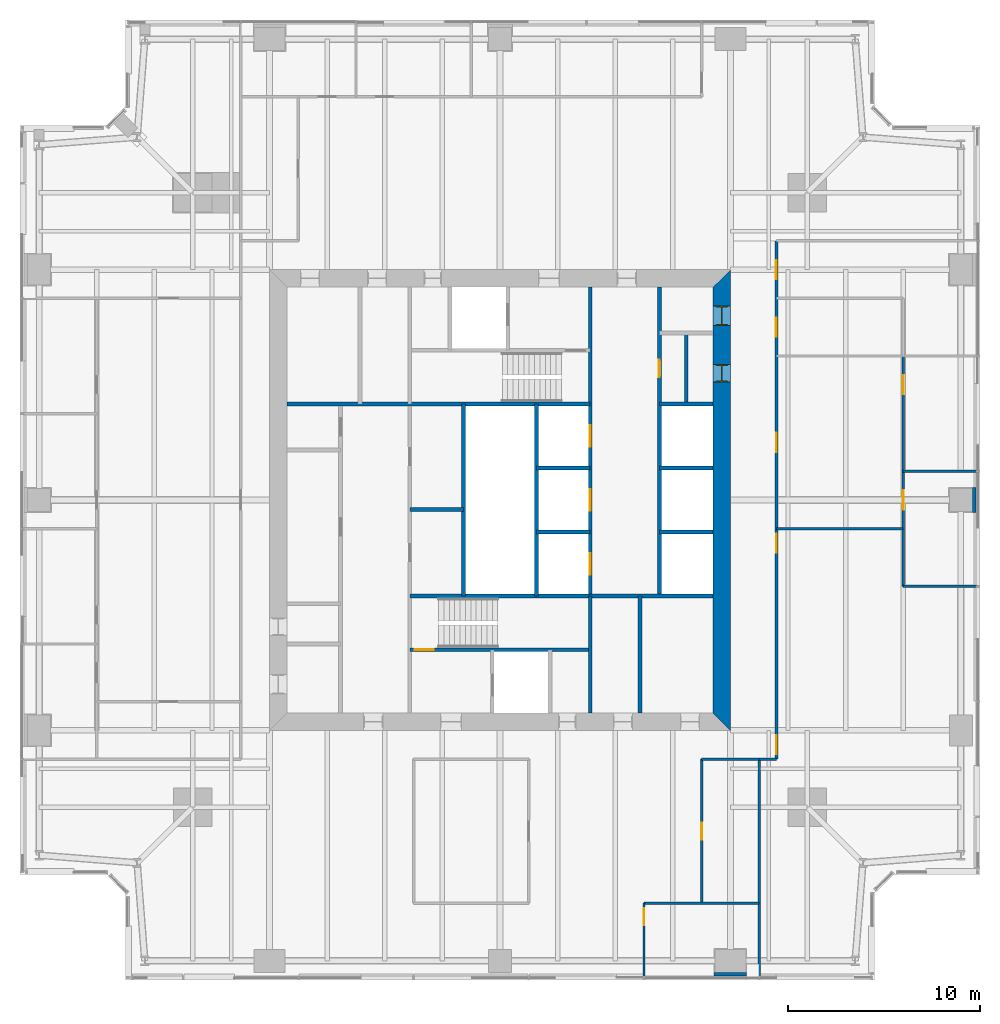
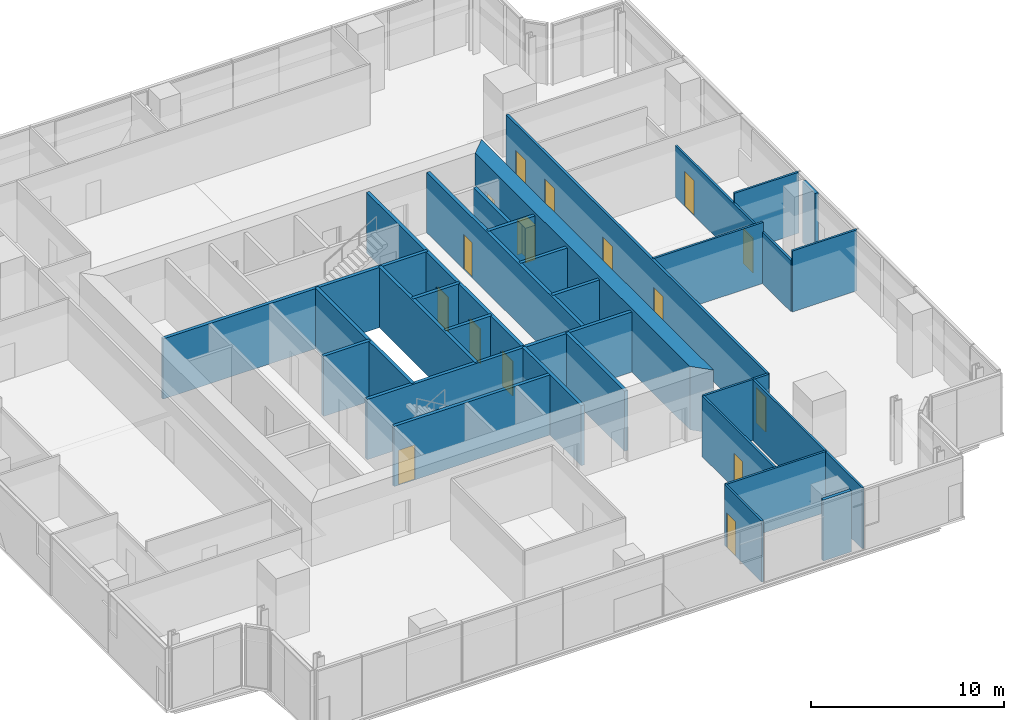
# One storey, part 12 of 16: 30 walls, 16 doors, 16 openings.
"""IFC4 building model written with IfcOpenShell, lengths in metres."""

from ifc_helpers import new_model, si_unit, direction, frame, frame_2d, origin, place, context, subcontext, project, spatial, polyline, rectangle, outline, extrude, material, layer, layer_set, type_object, element, fill, save


model = new_model("IFC4")

# Units and contexts
model_context = context("Model", 3, precision=1e-05, world=origin(), true_north=direction((0.0, 1.0)))
body_context = subcontext(model_context, "Body", "Model", "MODEL_VIEW")
ifc_project = project(units=[si_unit("LENGTHUNIT", "METRE"), si_unit("AREAUNIT", "SQUARE_METRE"), si_unit("VOLUMEUNIT", "CUBIC_METRE"), si_unit("PLANEANGLEUNIT", "RADIAN"), si_unit("MASSUNIT", "GRAM", prefix="KILO")], contexts=[model_context])

# Site, building, storey
site_placement = place(None, origin())
site = spatial("IfcSite", under=ifc_project, at=site_placement, CompositionType="ELEMENT")
building_placement = place(site_placement, origin())
building = spatial("IfcBuilding", under=site, at=building_placement, Name="Fenwick Lantern Interchange", CompositionType="ELEMENT")
storey_placement = place(building_placement, frame((0.0, 0.0, 177.800048828125)))
storey = spatial("IfcBuildingStorey", under=building, at=storey_placement, Name="L41", CompositionType="ELEMENT", Elevation=177.800048828125)

# Walls
ifc_material_1 = material(Name="Fire-rated gypsum board encasement on steel studs, 2 hour", Category="steel")
ifc_layer_1 = layer(ifc_material_1, 1.300048828125)
ifc_layer_set_1 = layer_set([ifc_layer_1], Name="COLUMN PIER 1300")
wall_type_1 = type_object("IfcWallType", Name="COLUMN PIER 1300", PredefinedType="PARTITIONING", material=ifc_layer_set_1)
wall_1_placement = place(storey_placement, frame((49.800048828125, 25.0, 0.0), z_axis=(0.0, 0.0, 1.0), x_axis=(-1.0, 0.0, 0.0)))
element("IfcWall", 1, at=wall_1_placement, inside=storey, type_object=wall_type_1, Name="L41/W/PIER/CE3", PredefinedType="PARTITIONING", context=body_context, shape_type="SweptSolid", body=[
    extrude(rectangle(XDim=0.199951171875, YDim=1.300048828125, at=frame_2d((0.10009765625, 0.0))), origin(), (0.0, 0.0, 1.0), 3.849853515625),
])
ifc_layer_2 = layer(ifc_material_1, 1.699951171875)
ifc_layer_set_2 = layer_set([ifc_layer_2], Name="COLUMN PIER 1700")
wall_type_2 = type_object("IfcWallType", Name="COLUMN PIER 1700", PredefinedType="PARTITIONING", material=ifc_layer_set_2)
wall_2_placement = place(storey_placement, frame((37.0, 0.199951171875, 0.0), z_axis=(0.0, 0.0, 1.0), x_axis=(0.0, 1.0, 0.0)))
element("IfcWall", 2, at=wall_2_placement, inside=storey, type_object=wall_type_2, Name="L41/W/PIER/CS4", PredefinedType="PARTITIONING", context=body_context, shape_type="SweptSolid", body=[
    extrude(rectangle(XDim=0.199951171875, YDim=1.699951171875, at=frame_2d((0.10009765625, 0.0))), origin(), (0.0, 0.0, 1.0), 3.849853515625),
])
ifc_material_2 = material(Name="Concrete masonry ASTM C90 Grade N", Category="masonry")
ifc_layer_3 = layer(ifc_material_2, 0.199951171875)
ifc_layer_set_3 = layer_set([ifc_layer_3], Name="Concrete masonry ASTM C90 Grade N")
wall_type_3 = type_object("IfcWallType", Name="CORE PARTITION 200", PredefinedType="PARTITIONING", material=ifc_layer_set_3)
wall_3_placement = place(storey_placement, frame((23.10009765625, 20.0, 0.0), z_axis=(0.0, 0.0, 1.0), x_axis=(0.0, 1.0, 0.0)))
element("IfcWall", 3, at=wall_3_placement, inside=storey, type_object=wall_type_3, Name="L41/W/CORES/e3", PredefinedType="PARTITIONING", context=body_context, shape_type="SweptSolid", body=[
    extrude(rectangle(XDim=10.0, YDim=0.199951171875, at=frame_2d((5.0, 0.0))), origin(), (0.0, 0.0, 1.0), 3.800048828125),
])
wall_4_placement = place(storey_placement, frame((32.300048828125, 13.89990234375, 0.0), z_axis=(0.0, 0.0, 1.0), x_axis=(0.0, 1.0, 0.0)))
element("IfcWall", 4, at=wall_4_placement, inside=storey, type_object=wall_type_3, Name="L41/W/CORES/i2", PredefinedType="PARTITIONING", context=body_context, shape_type="SweptSolid", body=[
    extrude(rectangle(XDim=6.10009765625, YDim=0.199951171875, at=frame_2d((3.050048828125, 0.0))), origin(), (0.0, 0.0, 1.0), 3.800048828125),
])
wall_5_placement = place(storey_placement, frame((20.300048828125, 24.5, 0.0), z_axis=(0.0, 0.0, 1.0), x_axis=(1.0, 0.0, 0.0)))
element("IfcWall", 5, at=wall_5_placement, inside=storey, type_object=wall_type_3, Name="L41/W/CORES/q1", PredefinedType="PARTITIONING", context=body_context, shape_type="SweptSolid", body=[
    extrude(rectangle(XDim=2.800048828125, YDim=0.199951171875, at=frame_2d((1.39990234375, 0.0))), origin(), (0.0, 0.0, 1.0), 3.800048828125),
])

# Wall, opening, door
wall_6_placement = place(storey_placement, frame((33.300048828125, 36.10009765625, 0.0), z_axis=(0.0, 0.0, 1.0), x_axis=(0.0, -1.0, 0.0)))
wall_6 = element("IfcWall", 6, at=wall_6_placement, inside=storey, type_object=wall_type_3, Name="L41/W/COREN/a", PredefinedType="PARTITIONING", context=body_context, shape_type="SweptSolid", body=[
    extrude(rectangle(XDim=16.10009765625, YDim=0.199951171875, at=frame_2d((8.050048828125, 0.0))), origin(), (0.0, 0.0, 1.0), 3.800048828125),
])
opening_1_placement = place(wall_6_placement, frame((3.800048828125, 0.0, 0.0)))
opening_1 = element("IfcOpeningElement", 7, at=opening_1_placement, cuts=wall_6, Name="Opening L41-D020", PredefinedType="OPENING", context=body_context, shape_type="SweptSolid", body=[
    extrude(rectangle(XDim=0.89990234375, YDim=2.199951171875, at=frame_2d((0.449951171875, 1.10009765625))), frame((0.0, 0.10986328125, 0.0), z_axis=(0.0, -1.0, 0.0), x_axis=(1.0, 0.0, 0.0)), (0.0, 0.0, 1.0), 0.219970703125),
])
ifc_material_3 = material(Name="Steel door and frame", Category="steel")
door_type_1 = type_object("IfcDoorType", Name="SERVICE DOOR 900 X 2200", OperationType="SINGLE_SWING_LEFT", PredefinedType="DOOR", material=ifc_material_3)
door_1_placement = place(opening_1_placement, origin())
door_1 = element("IfcDoor", 8, at=door_1_placement, inside=storey, type_object=door_type_1, Name="Service door", OperationType="SINGLE_SWING_LEFT", OverallHeight=2.199951171875, OverallWidth=0.89990234375, PredefinedType="DOOR", context=body_context, shape_type="SweptSolid", body=[
    extrude(rectangle(XDim=0.89990234375, YDim=2.199951171875, at=frame_2d((0.449951171875, 1.10009765625))), frame((0.0, 0.02490234375, 0.0), z_axis=(0.0, -1.0, 0.0), x_axis=(1.0, 0.0, 0.0)), (0.0, 0.0, 1.0), 0.050048828125),
])
fill(opening_1, door_1)

# Walls
for number, where, z_axis, x_axis, name in (
    (9, (36.10009765625, 30.0, 0.0), (0.0, 0.0, 1.0), (-1.0, 0.0, 0.0), "L41/W/COREN/c2"),
    (10, (36.10009765625, 26.666748046875, 0.0), (0.0, 0.0, 1.0), (-1.0, 0.0, 0.0), "L41/W/COREN/d1"),
    (11, (36.10009765625, 23.333251953125, 0.0), (0.0, 0.0, 1.0), (-1.0, 0.0, 0.0), "L41/W/COREN/d2"),
    (12, (29.699951171875, 26.666748046875, 0.0), (0.0, 0.0, 1.0), (-1.0, 0.0, 0.0), "L41/W/COREN/e1"),
    (13, (29.699951171875, 23.333251953125, 0.0), (0.0, 0.0, 1.0), (-1.0, 0.0, 0.0), "L41/W/COREN/e2"),
):
    element("IfcWall", number, at=place(storey_placement, frame(where, z_axis=z_axis, x_axis=x_axis)), inside=storey, type_object=wall_type_3, Name=name, PredefinedType="PARTITIONING", context=body_context, shape_type="SweptSolid", body=[
        extrude(rectangle(XDim=2.800048828125, YDim=0.199951171875, at=frame_2d((1.39990234375, 0.0))), origin(), (0.0, 0.0, 1.0), 3.800048828125),
    ])
wall_7_placement = place(storey_placement, frame((26.89990234375, 30.0, 0.0), z_axis=(0.0, 0.0, 1.0), x_axis=(0.0, -1.0, 0.0)))
element("IfcWall", 14, at=wall_7_placement, inside=storey, type_object=wall_type_3, Name="L41/W/COREN/e3", PredefinedType="PARTITIONING", context=body_context, shape_type="SweptSolid", body=[
    extrude(rectangle(XDim=10.0, YDim=0.199951171875, at=frame_2d((5.0, 0.0))), origin(), (0.0, 0.0, 1.0), 3.800048828125),
])
wall_8_placement = place(storey_placement, frame((34.699951171875, 33.699951171875, 0.0), z_axis=(0.0, 0.0, 1.0), x_axis=(0.0, -1.0, 0.0)))
element("IfcWall", 15, at=wall_8_placement, inside=storey, type_object=wall_type_3, Name="L41/W/COREN/px", PredefinedType="PARTITIONING", context=body_context, shape_type="SweptSolid", body=[
    extrude(rectangle(XDim=3.699951171875, YDim=0.199951171875, at=frame_2d((1.85009765625, 0.0))), origin(), (0.0, 0.0, 1.0), 3.800048828125),
])

# Wall, openings, doors
ifc_material_4 = material(Name="Concrete f'c 70 MPa", Category="concrete")
ifc_layer_4 = layer(ifc_material_4, 0.89990234375)
ifc_layer_set_4 = layer_set([ifc_layer_4], Name="CORE WALL 900")
wall_type_4 = type_object("IfcWallType", Name="CORE WALL 900", PredefinedType="SHEAR", material=ifc_layer_set_4)
wall_9_placement = place(storey_placement, frame((36.550048828125, 13.89990234375, 0.0), z_axis=(0.0, 0.0, 1.0), x_axis=(0.0, 1.0, 0.0)))
wall_9 = element("IfcWall", 16, at=wall_9_placement, inside=storey, type_object=wall_type_4, Name="L41/CORE/E", PredefinedType="SHEAR", context=body_context, shape_type="SweptSolid", body=[
    extrude(outline(polyline([(-0.89990234375, -0.449951171875), (23.10009765625, -0.449951171875), (22.199951171875, 0.449951171875), (0.0, 0.449951171875), (-0.89990234375, -0.449951171875)])), origin(), (0.0, 0.0, 1.0), 4.0),
])
opening_2_placement = place(wall_9_placement, frame((20.199951171875, 0.0, 0.0)))
opening_2 = element("IfcOpeningElement", 17, at=opening_2_placement, cuts=wall_9, Name="Opening L41-D019", PredefinedType="OPENING", context=body_context, shape_type="SweptSolid", body=[
    extrude(rectangle(XDim=1.0, YDim=2.199951171875, at=frame_2d((0.5, 1.10009765625))), frame((0.0, 0.4599609375, 0.0), z_axis=(0.0, -1.0, 0.0), x_axis=(1.0, 0.0, 0.0)), (0.0, 0.0, 1.0), 0.919921875),
])
opening_3_placement = place(wall_9_placement, frame((17.25, 0.0, 0.0)))
opening_3 = element("IfcOpeningElement", 18, at=opening_3_placement, cuts=wall_9, Name="Opening L41-D021", PredefinedType="OPENING", context=body_context, shape_type="SweptSolid", body=[
    extrude(rectangle(XDim=0.89990234375, YDim=2.199951171875, at=frame_2d((0.449951171875, 1.10009765625))), frame((0.0, 0.4599609375, 0.0), z_axis=(0.0, -1.0, 0.0), x_axis=(1.0, 0.0, 0.0)), (0.0, 0.0, 1.0), 0.919921875),
])
door_type_2 = type_object("IfcDoorType", Name="SERVICE DOOR 1000 X 2200", OperationType="SINGLE_SWING_LEFT", PredefinedType="DOOR", material=ifc_material_3)
door_2_placement = place(opening_2_placement, origin())
door_2 = element("IfcDoor", 19, at=door_2_placement, inside=storey, type_object=door_type_2, Name="Service door", OperationType="SINGLE_SWING_LEFT", OverallHeight=2.199951171875, OverallWidth=1.0, PredefinedType="DOOR", context=body_context, shape_type="SweptSolid", body=[
    extrude(rectangle(XDim=1.0, YDim=2.199951171875, at=frame_2d((0.5, 1.10009765625))), frame((0.0, 0.02490234375, 0.0), z_axis=(0.0, -1.0, 0.0), x_axis=(1.0, 0.0, 0.0)), (0.0, 0.0, 1.0), 0.050048828125),
    extrude(outline(polyline([(0.0, 0.0), (0.0400390625, 0.0), (0.0400390625, 2.159912109375), (0.9599609375, 2.159912109375), (0.9599609375, 0.0), (1.0, 0.0), (1.0, 2.199951171875), (0.0, 2.199951171875), (0.0, 0.0)])), frame((0.0, 0.300048828125, 0.0), z_axis=(0.0, -1.0, 0.0), x_axis=(1.0, 0.0, 0.0)), (0.0, 0.0, 1.0), 0.60009765625),
])
fill(opening_2, door_2)
door_3_placement = place(opening_3_placement, origin())
door_3 = element("IfcDoor", 20, at=door_3_placement, inside=storey, type_object=door_type_1, Name="Service door", OperationType="SINGLE_SWING_LEFT", OverallHeight=2.199951171875, OverallWidth=0.89990234375, PredefinedType="DOOR", context=body_context, shape_type="SweptSolid", body=[
    extrude(rectangle(XDim=0.89990234375, YDim=2.199951171875, at=frame_2d((0.449951171875, 1.10009765625))), frame((0.0, 0.02490234375, 0.0), z_axis=(0.0, -1.0, 0.0), x_axis=(1.0, 0.0, 0.0)), (0.0, 0.0, 1.0), 0.050048828125),
    extrude(outline(polyline([(0.0, 0.0), (0.0400390625, 0.0), (0.0400390625, 2.159912109375), (0.85986328125, 2.159912109375), (0.85986328125, 0.0), (0.89990234375, 0.0), (0.89990234375, 2.199951171875), (0.0, 2.199951171875), (0.0, 0.0)])), frame((0.0, 0.300048828125, 0.0), z_axis=(0.0, -1.0, 0.0), x_axis=(1.0, 0.0, 0.0)), (0.0, 0.0, 1.0), 0.60009765625),
])
fill(opening_3, door_3)

# Wall
ifc_material_5 = material(Name="Gypsum board on steel studs, 1 hour", Category="steel")
ifc_layer_5 = layer(ifc_material_5, 0.14990234375)
ifc_layer_set_5 = layer_set([ifc_layer_5], Name="CORRIDOR WALL 150")
wall_type_5 = type_object("IfcWallType", Name="CORRIDOR WALL 150", PredefinedType="PARTITIONING", material=ifc_layer_set_5)
wall_10_placement = place(storey_placement, frame((38.5, 11.5, 0.0), z_axis=(0.0, 0.0, 1.0), x_axis=(1.0, 0.0, 0.0)))
element("IfcWall", 21, at=wall_10_placement, inside=storey, type_object=wall_type_5, Name="L41/W/OFF/E/CWJ", PredefinedType="PARTITIONING", context=body_context, shape_type="SweptSolid", body=[
    extrude(rectangle(XDim=0.89990234375, YDim=0.14990234375, at=frame_2d((0.449951171875, 0.0))), origin(), (0.0, 0.0, 1.0), 3.849853515625),
])

# Wall, openings, doors
wall_11_placement = place(storey_placement, frame((39.39990234375, 11.5, 0.0), z_axis=(0.0, 0.0, 1.0), x_axis=(0.0, 1.0, 0.0)))
wall_11 = element("IfcWall", 22, at=wall_11_placement, inside=storey, type_object=wall_type_5, Name="L41/W/OFF/E/CW2", PredefinedType="PARTITIONING", context=body_context, shape_type="SweptSolid", body=[
    extrude(rectangle(XDim=27.0, YDim=0.14990234375, at=frame_2d((13.5, 0.0))), origin(), (0.0, 0.0, 1.0), 3.849853515625),
])
opening_4_placement = place(wall_11_placement, frame((16.0, 0.0, 0.0)))
opening_4 = element("IfcOpeningElement", 23, at=opening_4_placement, cuts=wall_11, Name="Opening L41-D025", PredefinedType="OPENING", context=body_context, shape_type="SweptSolid", body=[
    extrude(rectangle(XDim=1.0, YDim=2.199951171875, at=frame_2d((0.5, 1.10009765625))), frame((0.0, 0.0849609375, 0.0), z_axis=(0.0, -1.0, 0.0), x_axis=(1.0, 0.0, 0.0)), (0.0, 0.0, 1.0), 0.169921875),
])
opening_5_placement = place(wall_11_placement, frame((0.25, 0.0, 0.0)))
opening_5 = element("IfcOpeningElement", 24, at=opening_5_placement, cuts=wall_11, Name="Opening L41-D028", PredefinedType="OPENING", context=body_context, shape_type="SweptSolid", body=[
    extrude(rectangle(XDim=1.0, YDim=2.199951171875, at=frame_2d((0.5, 1.10009765625))), frame((0.0, 0.0849609375, 0.0), z_axis=(0.0, -1.0, 0.0), x_axis=(1.0, 0.0, 0.0)), (0.0, 0.0, 1.0), 0.169921875),
])
opening_6_placement = place(wall_11_placement, frame((10.75, 0.0, 0.0)))
opening_6 = element("IfcOpeningElement", 25, at=opening_6_placement, cuts=wall_11, Name="Opening L41-D029", PredefinedType="OPENING", context=body_context, shape_type="SweptSolid", body=[
    extrude(rectangle(XDim=1.0, YDim=2.199951171875, at=frame_2d((0.5, 1.10009765625))), frame((0.0, 0.0849609375, 0.0), z_axis=(0.0, -1.0, 0.0), x_axis=(1.0, 0.0, 0.0)), (0.0, 0.0, 1.0), 0.169921875),
])
opening_7_placement = place(wall_11_placement, frame((22.0, 0.0, 0.0)))
opening_7 = element("IfcOpeningElement", 26, at=opening_7_placement, cuts=wall_11, Name="Opening L41-D030", PredefinedType="OPENING", context=body_context, shape_type="SweptSolid", body=[
    extrude(rectangle(XDim=1.0, YDim=2.199951171875, at=frame_2d((0.5, 1.10009765625))), frame((0.0, 0.0849609375, 0.0), z_axis=(0.0, -1.0, 0.0), x_axis=(1.0, 0.0, 0.0)), (0.0, 0.0, 1.0), 0.169921875),
])
opening_8_placement = place(wall_11_placement, frame((25.0, 0.0, 0.0)))
opening_8 = element("IfcOpeningElement", 27, at=opening_8_placement, cuts=wall_11, Name="Opening L41-D031", PredefinedType="OPENING", context=body_context, shape_type="SweptSolid", body=[
    extrude(rectangle(XDim=1.0, YDim=2.199951171875, at=frame_2d((0.5, 1.10009765625))), frame((0.0, 0.0849609375, 0.0), z_axis=(0.0, -1.0, 0.0), x_axis=(1.0, 0.0, 0.0)), (0.0, 0.0, 1.0), 0.169921875),
])
door_type_3 = type_object("IfcDoorType", Name="SUITE ENTRANCE DOOR 1000 X 2200", OperationType="SINGLE_SWING_LEFT", PredefinedType="DOOR", material=ifc_material_3)
door_4_placement = place(opening_4_placement, origin())
door_4 = element("IfcDoor", 28, at=door_4_placement, inside=storey, type_object=door_type_3, Name="Suite entrance door", OperationType="SINGLE_SWING_RIGHT", OverallHeight=2.199951171875, OverallWidth=1.0, PredefinedType="DOOR", context=body_context, shape_type="SweptSolid", body=[
    extrude(rectangle(XDim=1.0, YDim=2.199951171875, at=frame_2d((0.5, 1.10009765625))), frame((0.0, 0.02490234375, 0.0), z_axis=(0.0, -1.0, 0.0), x_axis=(1.0, 0.0, 0.0)), (0.0, 0.0, 1.0), 0.050048828125),
])
fill(opening_4, door_4)
door_5_placement = place(opening_5_placement, origin())
door_5 = element("IfcDoor", 29, at=door_5_placement, inside=storey, type_object=door_type_3, Name="Suite entrance door", OperationType="SINGLE_SWING_LEFT", OverallHeight=2.199951171875, OverallWidth=1.0, PredefinedType="DOOR", context=body_context, shape_type="SweptSolid", body=[
    extrude(rectangle(XDim=1.0, YDim=2.199951171875, at=frame_2d((0.5, 1.10009765625))), frame((0.0, 0.02490234375, 0.0), z_axis=(0.0, -1.0, 0.0), x_axis=(1.0, 0.0, 0.0)), (0.0, 0.0, 1.0), 0.050048828125),
])
fill(opening_5, door_5)
door_6_placement = place(opening_6_placement, origin())
door_6 = element("IfcDoor", 30, at=door_6_placement, inside=storey, type_object=door_type_3, Name="Suite entrance door", OperationType="SINGLE_SWING_LEFT", OverallHeight=2.199951171875, OverallWidth=1.0, PredefinedType="DOOR", context=body_context, shape_type="SweptSolid", body=[
    extrude(rectangle(XDim=1.0, YDim=2.199951171875, at=frame_2d((0.5, 1.10009765625))), frame((0.0, 0.02490234375, 0.0), z_axis=(0.0, -1.0, 0.0), x_axis=(1.0, 0.0, 0.0)), (0.0, 0.0, 1.0), 0.050048828125),
])
fill(opening_6, door_6)
door_7_placement = place(opening_7_placement, frame((1.0, 0.0, 0.0), z_axis=(0.0, 0.0, 1.0), x_axis=(-1.0, 0.0, 0.0)))
door_7 = element("IfcDoor", 31, at=door_7_placement, inside=storey, type_object=door_type_3, Name="Suite entrance door", OperationType="SINGLE_SWING_RIGHT", OverallHeight=2.199951171875, OverallWidth=1.0, PredefinedType="DOOR", context=body_context, shape_type="SweptSolid", body=[
    extrude(rectangle(XDim=1.0, YDim=2.199951171875, at=frame_2d((0.5, 1.10009765625))), frame((0.0, 0.02490234375, 0.0), z_axis=(0.0, -1.0, 0.0), x_axis=(1.0, 0.0, 0.0)), (0.0, 0.0, 1.0), 0.050048828125),
])
fill(opening_7, door_7)
door_8_placement = place(opening_8_placement, frame((1.0, 0.0, 0.0), z_axis=(0.0, 0.0, 1.0), x_axis=(-1.0, 0.0, 0.0)))
door_8 = element("IfcDoor", 32, at=door_8_placement, inside=storey, type_object=door_type_3, Name="Suite entrance door", OperationType="SINGLE_SWING_RIGHT", OverallHeight=2.199951171875, OverallWidth=1.0, PredefinedType="DOOR", context=body_context, shape_type="SweptSolid", body=[
    extrude(rectangle(XDim=1.0, YDim=2.199951171875, at=frame_2d((0.5, 1.10009765625))), frame((0.0, 0.02490234375, 0.0), z_axis=(0.0, -1.0, 0.0), x_axis=(1.0, 0.0, 0.0)), (0.0, 0.0, 1.0), 0.050048828125),
])
fill(opening_8, door_8)

# Wall, opening, door
ifc_material_6 = material(Name="Gypsum board on steel studs, acoustic", Category="steel")
ifc_layer_6 = layer(ifc_material_6, 0.125)
ifc_layer_set_6 = layer_set([ifc_layer_6], Name="OFFICE PARTITION 125")
wall_type_6 = type_object("IfcWallType", Name="OFFICE PARTITION 125", PredefinedType="PARTITIONING", material=ifc_layer_set_6)
wall_12_placement = place(storey_placement, frame((32.5, 0.14990234375, 0.0), z_axis=(0.0, 0.0, 1.0), x_axis=(0.0, 1.0, 0.0)))
wall_12 = element("IfcWall", 33, at=wall_12_placement, inside=storey, type_object=wall_type_6, Name="L41/W/OFF/S/X325-1", PredefinedType="PARTITIONING", context=body_context, shape_type="SweptSolid", body=[
    extrude(rectangle(XDim=3.85009765625, YDim=0.125, at=frame_2d((1.925048828125, 0.0))), origin(), (0.0, 0.0, 1.0), 3.849853515625),
])
opening_9_placement = place(wall_12_placement, frame((2.699951171875, 0.0, 0.0)))
opening_9 = element("IfcOpeningElement", 34, at=opening_9_placement, cuts=wall_12, Name="Opening L41-D023", PredefinedType="OPENING", context=body_context, shape_type="SweptSolid", body=[
    extrude(rectangle(XDim=0.89990234375, YDim=2.199951171875, at=frame_2d((0.449951171875, 1.10009765625))), frame((0.0, 0.072509765625, 0.0), z_axis=(0.0, -1.0, 0.0), x_axis=(1.0, 0.0, 0.0)), (0.0, 0.0, 1.0), 0.14501953125),
])
ifc_material_7 = material(Name="Hardwood door and steel frame", Category="steel")
door_type_4 = type_object("IfcDoorType", Name="OFFICE DOOR 900 X 2200", OperationType="SINGLE_SWING_LEFT", PredefinedType="DOOR", material=ifc_material_7)
door_9_placement = place(opening_9_placement, frame((0.89990234375, 0.0, 0.0), z_axis=(0.0, 0.0, 1.0), x_axis=(-1.0, 0.0, 0.0)))
door_9 = element("IfcDoor", 35, at=door_9_placement, inside=storey, type_object=door_type_4, Name="Office door", OperationType="SINGLE_SWING_LEFT", OverallHeight=2.199951171875, OverallWidth=0.89990234375, PredefinedType="DOOR", context=body_context, shape_type="SweptSolid", body=[
    extrude(rectangle(XDim=0.89990234375, YDim=2.199951171875, at=frame_2d((0.449951171875, 1.10009765625))), frame((0.0, 0.02490234375, 0.0), z_axis=(0.0, -1.0, 0.0), x_axis=(1.0, 0.0, 0.0)), (0.0, 0.0, 1.0), 0.050048828125),
])
fill(opening_9, door_9)

wall_13_placement = place(storey_placement, frame((35.5, 4.0, 0.0), z_axis=(0.0, 0.0, 1.0), x_axis=(0.0, 1.0, 0.0)))
wall_13 = element("IfcWall", 36, at=wall_13_placement, inside=storey, type_object=wall_type_6, Name="L41/W/OFF/S/X355-1", PredefinedType="PARTITIONING", context=body_context, shape_type="SweptSolid", body=[
    extrude(rectangle(XDim=7.5, YDim=0.125, at=frame_2d((3.75, 0.0))), origin(), (0.0, 0.0, 1.0), 3.849853515625),
])
opening_10_placement = place(wall_13_placement, frame((3.300048828125, 0.0, 0.0)))
opening_10 = element("IfcOpeningElement", 37, at=opening_10_placement, cuts=wall_13, Name="Opening L41-D024", PredefinedType="OPENING", context=body_context, shape_type="SweptSolid", body=[
    extrude(rectangle(XDim=0.89990234375, YDim=2.199951171875, at=frame_2d((0.449951171875, 1.10009765625))), frame((0.0, 0.072509765625, 0.0), z_axis=(0.0, -1.0, 0.0), x_axis=(1.0, 0.0, 0.0)), (0.0, 0.0, 1.0), 0.14501953125),
])
door_10_placement = place(opening_10_placement, frame((0.89990234375, 0.0, 0.0), z_axis=(0.0, 0.0, 1.0), x_axis=(-1.0, 0.0, 0.0)))
door_10 = element("IfcDoor", 38, at=door_10_placement, inside=storey, type_object=door_type_4, Name="Office door", OperationType="SINGLE_SWING_RIGHT", OverallHeight=2.199951171875, OverallWidth=0.89990234375, PredefinedType="DOOR", context=body_context, shape_type="SweptSolid", body=[
    extrude(rectangle(XDim=0.89990234375, YDim=2.199951171875, at=frame_2d((0.449951171875, 1.10009765625))), frame((0.0, 0.02490234375, 0.0), z_axis=(0.0, -1.0, 0.0), x_axis=(1.0, 0.0, 0.0)), (0.0, 0.0, 1.0), 0.050048828125),
])
fill(opening_10, door_10)

# Walls
wall_14_placement = place(storey_placement, frame((32.5, 4.0, 0.0), z_axis=(0.0, 0.0, 1.0), x_axis=(1.0, 0.0, 0.0)))
element("IfcWall", 39, at=wall_14_placement, inside=storey, type_object=wall_type_6, Name="L41/W/OFF/S/Y40-2", PredefinedType="PARTITIONING", context=body_context, shape_type="SweptSolid", body=[
    extrude(rectangle(XDim=6.0, YDim=0.125, at=frame_2d((3.0, 0.0))), origin(), (0.0, 0.0, 1.0), 3.849853515625),
])
wall_15_placement = place(storey_placement, frame((35.5, 11.5, 0.0), z_axis=(0.0, 0.0, 1.0), x_axis=(1.0, 0.0, 0.0)))
element("IfcWall", 40, at=wall_15_placement, inside=storey, type_object=wall_type_6, Name="L41/W/OFF/S/CWS2", PredefinedType="PARTITIONING", context=body_context, shape_type="SweptSolid", body=[
    extrude(rectangle(XDim=3.0, YDim=0.125, at=frame_2d((1.5, 0.0))), origin(), (0.0, 0.0, 1.0), 3.849853515625),
])
wall_16_placement = place(storey_placement, frame((38.5, 0.14990234375, 0.0), z_axis=(0.0, 0.0, 1.0), x_axis=(0.0, 1.0, 0.0)))
element("IfcWall", 41, at=wall_16_placement, inside=storey, type_object=wall_type_6, Name="L41/W/OFF/E/BACK", PredefinedType="PARTITIONING", context=body_context, shape_type="SweptSolid", body=[
    extrude(rectangle(XDim=11.35009765625, YDim=0.125, at=frame_2d((5.675048828125, 0.0))), origin(), (0.0, 0.0, 1.0), 3.849853515625),
])
wall_17_placement = place(storey_placement, frame((49.85009765625, 20.5, 0.0), z_axis=(0.0, 0.0, 1.0), x_axis=(-1.0, 0.0, 0.0)))
element("IfcWall", 42, at=wall_17_placement, inside=storey, type_object=wall_type_6, Name="L41/W/OFF/E/X205-1", PredefinedType="PARTITIONING", context=body_context, shape_type="SweptSolid", body=[
    extrude(rectangle(XDim=3.85009765625, YDim=0.125, at=frame_2d((1.925048828125, 0.0))), origin(), (0.0, 0.0, 1.0), 3.849853515625),
])
wall_18_placement = place(storey_placement, frame((46.0, 23.5, 0.0), z_axis=(0.0, 0.0, 1.0), x_axis=(-1.0, 0.0, 0.0)))
element("IfcWall", 43, at=wall_18_placement, inside=storey, type_object=wall_type_6, Name="L41/W/OFF/E/X235-1", PredefinedType="PARTITIONING", context=body_context, shape_type="SweptSolid", body=[
    extrude(rectangle(XDim=6.60009765625, YDim=0.125, at=frame_2d((3.300048828125, 0.0))), origin(), (0.0, 0.0, 1.0), 3.849853515625),
])
wall_19_placement = place(storey_placement, frame((49.85009765625, 26.5, 0.0), z_axis=(0.0, 0.0, 1.0), x_axis=(-1.0, 0.0, 0.0)))
element("IfcWall", 44, at=wall_19_placement, inside=storey, type_object=wall_type_6, Name="L41/W/OFF/E/X265-1", PredefinedType="PARTITIONING", context=body_context, shape_type="SweptSolid", body=[
    extrude(rectangle(XDim=3.85009765625, YDim=0.125, at=frame_2d((1.925048828125, 0.0))), origin(), (0.0, 0.0, 1.0), 3.849853515625),
])

# Wall, openings, doors
wall_20_placement = place(storey_placement, frame((46.0, 20.5, 0.0), z_axis=(0.0, 0.0, 1.0), x_axis=(0.0, 1.0, 0.0)))
wall_20 = element("IfcWall", 45, at=wall_20_placement, inside=storey, type_object=wall_type_6, Name="L41/W/OFF/E/Y40-1", PredefinedType="PARTITIONING", context=body_context, shape_type="SweptSolid", body=[
    extrude(rectangle(XDim=12.0, YDim=0.125, at=frame_2d((6.0, 0.0))), origin(), (0.0, 0.0, 1.0), 3.23779296875),
])
opening_11_placement = place(wall_20_placement, frame((4.0, 0.0, 0.0)))
opening_11 = element("IfcOpeningElement", 46, at=opening_11_placement, cuts=wall_20, Name="Opening L41-D026", PredefinedType="OPENING", context=body_context, shape_type="SweptSolid", body=[
    extrude(rectangle(XDim=1.0, YDim=2.199951171875, at=frame_2d((0.5, 1.10009765625))), frame((0.0, 0.072509765625, 0.0), z_axis=(0.0, -1.0, 0.0), x_axis=(1.0, 0.0, 0.0)), (0.0, 0.0, 1.0), 0.14501953125),
])
opening_12_placement = place(wall_20_placement, frame((10.0, 0.0, 0.0)))
opening_12 = element("IfcOpeningElement", 47, at=opening_12_placement, cuts=wall_20, Name="Opening L41-D027", PredefinedType="OPENING", context=body_context, shape_type="SweptSolid", body=[
    extrude(rectangle(XDim=1.0, YDim=2.199951171875, at=frame_2d((0.5, 1.10009765625))), frame((0.0, 0.072509765625, 0.0), z_axis=(0.0, -1.0, 0.0), x_axis=(1.0, 0.0, 0.0)), (0.0, 0.0, 1.0), 0.14501953125),
])
door_type_5 = type_object("IfcDoorType", Name="MEETING ROOM DOOR 1000 X 2200", OperationType="SINGLE_SWING_LEFT", PredefinedType="DOOR", material=ifc_material_7)
door_11_placement = place(opening_11_placement, frame((1.0, 0.0, 0.0), z_axis=(0.0, 0.0, 1.0), x_axis=(-1.0, 0.0, 0.0)))
door_11 = element("IfcDoor", 48, at=door_11_placement, inside=storey, type_object=door_type_5, Name="Meeting room door", OperationType="SINGLE_SWING_LEFT", OverallHeight=2.199951171875, OverallWidth=1.0, PredefinedType="DOOR", context=body_context, shape_type="SweptSolid", body=[
    extrude(rectangle(XDim=1.0, YDim=2.199951171875, at=frame_2d((0.5, 1.10009765625))), frame((0.0, 0.02490234375, 0.0), z_axis=(0.0, -1.0, 0.0), x_axis=(1.0, 0.0, 0.0)), (0.0, 0.0, 1.0), 0.050048828125),
])
fill(opening_11, door_11)
door_12_placement = place(opening_12_placement, frame((1.0, 0.0, 0.0), z_axis=(0.0, 0.0, 1.0), x_axis=(-1.0, 0.0, 0.0)))
door_12 = element("IfcDoor", 49, at=door_12_placement, inside=storey, type_object=door_type_5, Name="Meeting room door", OperationType="SINGLE_SWING_LEFT", OverallHeight=2.199951171875, OverallWidth=1.0, PredefinedType="DOOR", context=body_context, shape_type="SweptSolid", body=[
    extrude(rectangle(XDim=1.0, YDim=2.199951171875, at=frame_2d((0.5, 1.10009765625))), frame((0.0, 0.02490234375, 0.0), z_axis=(0.0, -1.0, 0.0), x_axis=(1.0, 0.0, 0.0)), (0.0, 0.0, 1.0), 0.050048828125),
])
fill(opening_12, door_12)

# Wall, opening, door
ifc_material_8 = material(Name="Concrete f'c 45 MPa", Category="concrete")
ifc_layer_7 = layer(ifc_material_8, 0.199951171875)
ifc_layer_set_7 = layer_set([ifc_layer_7], Name="STAIR CORE WALL 200")
wall_type_7 = type_object("IfcWallType", Name="STAIR CORE WALL 200", PredefinedType="SOLIDWALL", material=ifc_layer_set_7)
wall_21_placement = place(storey_placement, frame((20.300048828125, 17.199951171875, 0.0), z_axis=(0.0, 0.0, 1.0), x_axis=(1.0, 0.0, 0.0)))
wall_21 = element("IfcWall", 50, at=wall_21_placement, inside=storey, type_object=wall_type_7, Name="L41/W/CORES/g1", PredefinedType="SOLIDWALL", context=body_context, shape_type="SweptSolid", body=[
    extrude(rectangle(XDim=9.39990234375, YDim=0.199951171875, at=frame_2d((4.699951171875, 0.0))), origin(), (0.0, 0.0, 1.0), 3.800048828125),
])
opening_13_placement = place(wall_21_placement, frame((0.25, 0.0, 0.0)))
opening_13 = element("IfcOpeningElement", 51, at=opening_13_placement, cuts=wall_21, Name="Opening L41-D003", PredefinedType="OPENING", context=body_context, shape_type="SweptSolid", body=[
    extrude(rectangle(XDim=1.0, YDim=2.199951171875, at=frame_2d((0.5, 1.10009765625))), frame((0.0, 0.10986328125, 0.0), z_axis=(0.0, -1.0, 0.0), x_axis=(1.0, 0.0, 0.0)), (0.0, 0.0, 1.0), 0.219970703125),
])
door_type_6 = type_object("IfcDoorType", Name="STAIR DOOR 1000 X 2200", OperationType="SINGLE_SWING_LEFT", PredefinedType="DOOR", material=ifc_material_3)
door_13_placement = place(opening_13_placement, origin())
door_13 = element("IfcDoor", 52, at=door_13_placement, inside=storey, type_object=door_type_6, Name="Stair door", OperationType="SINGLE_SWING_LEFT", OverallHeight=2.199951171875, OverallWidth=1.0, PredefinedType="DOOR", context=body_context, shape_type="SweptSolid", body=[
    extrude(rectangle(XDim=1.0, YDim=2.199951171875, at=frame_2d((0.5, 1.10009765625))), frame((0.0, 0.02490234375, 0.0), z_axis=(0.0, -1.0, 0.0), x_axis=(1.0, 0.0, 0.0)), (0.0, 0.0, 1.0), 0.050048828125),
])
fill(opening_13, door_13)

# Walls
wall_22_placement = place(storey_placement, frame((20.300048828125, 20.0, 0.0), z_axis=(0.0, 0.0, 1.0), x_axis=(1.0, 0.0, 0.0)))
element("IfcWall", 53, at=wall_22_placement, inside=storey, type_object=wall_type_7, Name="L41/W/CORES/g2", PredefinedType="SOLIDWALL", context=body_context, shape_type="SweptSolid", body=[
    extrude(rectangle(XDim=15.800048828125, YDim=0.199951171875, at=frame_2d((7.89990234375, 0.0))), origin(), (0.0, 0.0, 1.0), 3.800048828125),
])
wall_23_placement = place(storey_placement, frame((29.699951171875, 13.89990234375, 0.0), z_axis=(0.0, 0.0, 1.0), x_axis=(0.0, 1.0, 0.0)))
element("IfcWall", 54, at=wall_23_placement, inside=storey, type_object=wall_type_7, Name="L41/W/CORES/i1", PredefinedType="SOLIDWALL", context=body_context, shape_type="SweptSolid", body=[
    extrude(rectangle(XDim=6.10009765625, YDim=0.199951171875, at=frame_2d((3.050048828125, 0.0))), origin(), (0.0, 0.0, 1.0), 3.800048828125),
])

# Wall, openings, doors
wall_24_placement = place(storey_placement, frame((29.699951171875, 36.10009765625, 0.0), z_axis=(0.0, 0.0, 1.0), x_axis=(0.0, -1.0, 0.0)))
wall_24 = element("IfcWall", 55, at=wall_24_placement, inside=storey, type_object=wall_type_7, Name="L41/W/COREN/b", PredefinedType="SOLIDWALL", context=body_context, shape_type="SweptSolid", body=[
    extrude(rectangle(XDim=16.10009765625, YDim=0.199951171875, at=frame_2d((8.050048828125, 0.0))), origin(), (0.0, 0.0, 1.0), 3.800048828125),
])
opening_14_placement = place(wall_24_placement, frame((7.216552734375, 0.0, 0.0)))
opening_14 = element("IfcOpeningElement", 56, at=opening_14_placement, cuts=wall_24, Name="Opening LD-E2-1", PredefinedType="OPENING", context=body_context, shape_type="SweptSolid", body=[
    extrude(rectangle(XDim=1.10009765625, YDim=2.199951171875, at=frame_2d((0.550048828125, 1.10009765625))), frame((0.0, 0.10986328125, 0.0), z_axis=(0.0, -1.0, 0.0), x_axis=(1.0, 0.0, 0.0)), (0.0, 0.0, 1.0), 0.219970703125),
])
opening_15_placement = place(wall_24_placement, frame((10.550048828125, 0.0, 0.0)))
opening_15 = element("IfcOpeningElement", 57, at=opening_15_placement, cuts=wall_24, Name="Opening LD-E2-2", PredefinedType="OPENING", context=body_context, shape_type="SweptSolid", body=[
    extrude(rectangle(XDim=1.10009765625, YDim=2.199951171875, at=frame_2d((0.550048828125, 1.10009765625))), frame((0.0, 0.10986328125, 0.0), z_axis=(0.0, -1.0, 0.0), x_axis=(1.0, 0.0, 0.0)), (0.0, 0.0, 1.0), 0.219970703125),
])
opening_16_placement = place(wall_24_placement, frame((13.88330078125, 0.0, 0.0)))
opening_16 = element("IfcOpeningElement", 58, at=opening_16_placement, cuts=wall_24, Name="Opening LD-E2-3", PredefinedType="OPENING", context=body_context, shape_type="SweptSolid", body=[
    extrude(rectangle(XDim=1.10009765625, YDim=2.199951171875, at=frame_2d((0.550048828125, 1.10009765625))), frame((0.0, 0.10986328125, 0.0), z_axis=(0.0, -1.0, 0.0), x_axis=(1.0, 0.0, 0.0)), (0.0, 0.0, 1.0), 0.219970703125),
])
door_type_7 = type_object("IfcDoorType", Name="LIFT LANDING DOOR 1100 X 2200", OperationType="DOUBLE_DOOR_SLIDING", PredefinedType="DOOR", material=ifc_material_3)
door_14_placement = place(opening_14_placement, origin())
door_14 = element("IfcDoor", 59, at=door_14_placement, inside=storey, type_object=door_type_7, Name="Lift landing door E2-1", OperationType="DOUBLE_DOOR_SLIDING", OverallHeight=2.199951171875, OverallWidth=1.10009765625, PredefinedType="DOOR", context=body_context, shape_type="SweptSolid", body=[
    extrude(rectangle(XDim=1.10009765625, YDim=2.199951171875, at=frame_2d((0.550048828125, 1.10009765625))), frame((0.0, 0.02490234375, 0.0), z_axis=(0.0, -1.0, 0.0), x_axis=(1.0, 0.0, 0.0)), (0.0, 0.0, 1.0), 0.050048828125),
])
fill(opening_14, door_14)
door_15_placement = place(opening_15_placement, origin())
door_15 = element("IfcDoor", 60, at=door_15_placement, inside=storey, type_object=door_type_7, Name="Lift landing door E2-2", OperationType="DOUBLE_DOOR_SLIDING", OverallHeight=2.199951171875, OverallWidth=1.10009765625, PredefinedType="DOOR", context=body_context, shape_type="SweptSolid", body=[
    extrude(rectangle(XDim=1.10009765625, YDim=2.199951171875, at=frame_2d((0.550048828125, 1.10009765625))), frame((0.0, 0.02490234375, 0.0), z_axis=(0.0, -1.0, 0.0), x_axis=(1.0, 0.0, 0.0)), (0.0, 0.0, 1.0), 0.050048828125),
])
fill(opening_15, door_15)
door_16_placement = place(opening_16_placement, origin())
door_16 = element("IfcDoor", 61, at=door_16_placement, inside=storey, type_object=door_type_7, Name="Lift landing door E2-3", OperationType="DOUBLE_DOOR_SLIDING", OverallHeight=2.199951171875, OverallWidth=1.10009765625, PredefinedType="DOOR", context=body_context, shape_type="SweptSolid", body=[
    extrude(rectangle(XDim=1.10009765625, YDim=2.199951171875, at=frame_2d((0.550048828125, 1.10009765625))), frame((0.0, 0.02490234375, 0.0), z_axis=(0.0, -1.0, 0.0), x_axis=(1.0, 0.0, 0.0)), (0.0, 0.0, 1.0), 0.050048828125),
])
fill(opening_16, door_16)

# Wall
wall_25_placement = place(storey_placement, frame((29.699951171875, 30.0, 0.0), z_axis=(0.0, 0.0, 1.0), x_axis=(-1.0, 0.0, 0.0)))
element("IfcWall", 62, at=wall_25_placement, inside=storey, type_object=wall_type_7, Name="L41/W/COREN/g2", PredefinedType="SOLIDWALL", context=body_context, shape_type="SweptSolid", body=[
    extrude(rectangle(XDim=15.800048828125, YDim=0.199951171875, at=frame_2d((7.89990234375, 0.0))), origin(), (0.0, 0.0, 1.0), 3.800048828125),
])

save(model, "model.ifc")
